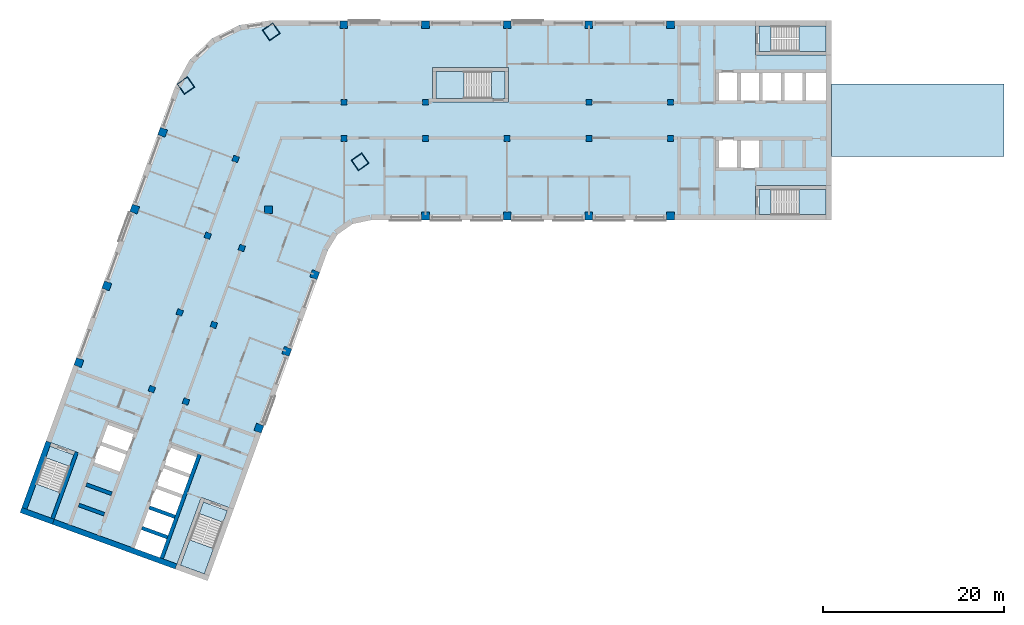
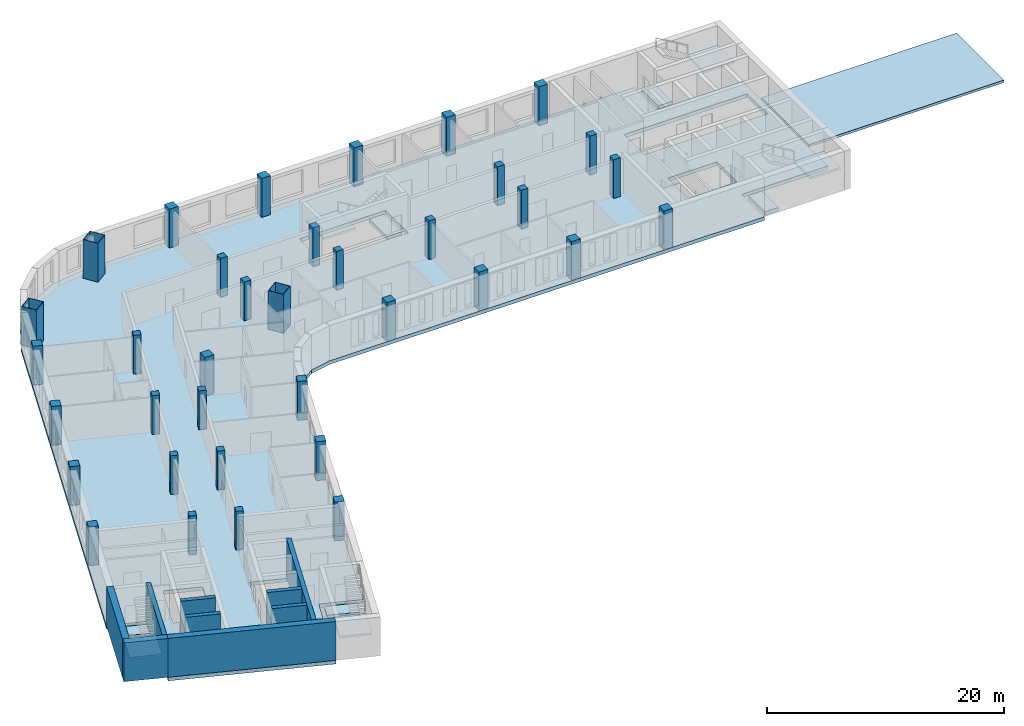
# One storey, part 1 of 8: 36 columns, 12 slabs, 9 walls, 5 elements without a shape of their own.
"""IFC4 building model written with IfcOpenShell, lengths in metres."""

from ifc_helpers import new_model, si_unit, direction, frame, frame_2d, origin, origin_2d, place, context, subcontext, project, spatial, polyline, rectangle, hollow_rectangle, outline, extrude, material, layer, layer_set, material_profile, profile_set, type_object, element, aggregate, save


model = new_model("IFC4")

# Units and contexts
model_context = context("Model", 3, precision=1e-05, world=origin(), true_north=direction((0.0, 1.0)))
body_context = subcontext(model_context, "Body", "Model", "MODEL_VIEW")
ifc_project = project(units=[si_unit("LENGTHUNIT", "METRE"), si_unit("AREAUNIT", "SQUARE_METRE"), si_unit("VOLUMEUNIT", "CUBIC_METRE"), si_unit("PLANEANGLEUNIT", "RADIAN"), si_unit("MASSUNIT", "GRAM", prefix="KILO")], contexts=[model_context])

# Site, building, storey
site_placement = place(None, origin())
site = spatial("IfcSite", under=ifc_project, at=site_placement, CompositionType="ELEMENT")
building_placement = place(site_placement, origin())
building = spatial("IfcBuilding", under=site, at=building_placement, Name="Skarvind Civic Tower", CompositionType="ELEMENT")
storey_placement = place(building_placement, frame((0.0, 0.0, 121.0)))
storey = spatial("IfcBuildingStorey", under=building, at=storey_placement, Name="L28", CompositionType="ELEMENT", Elevation=121.0)

# Columns
ifc_material_1 = material(Name="Concrete C60", Category="concrete")
ifc_material_profile_1 = material_profile(ifc_material_1, rectangle(XDim=0.64990234375, YDim=0.64990234375, at=origin_2d()), Name="RC-650x650")
ifc_profile_set_1 = profile_set([ifc_material_profile_1], Name="Concrete C60")
column_type_1 = type_object("IfcColumnType", Name="Column RC-650x650 C60", PredefinedType="COLUMN", material=ifc_profile_set_1)
for number, where, z_axis, x_axis, name in (
    (1, (54.25, 130.0, 0.0), (0.0, 0.0, 1.0), (1.0, 0.0, 0.0), "Column wing 1 north inner 02 L28"),
    (2, (63.25, 130.0, 0.0), (0.0, 0.0, 1.0), (1.0, 0.0, 0.0), "Column wing 1 north inner 03 L28"),
    (3, (81.25, 130.0, 0.0), (0.0, 0.0, 1.0), (1.0, 0.0, 0.0), "Column wing 1 north inner 05 L28"),
    (4, (90.25, 130.0, 0.0), (0.0, 0.0, 1.0), (1.0, 0.0, 0.0), "Column wing 1 north inner 06 L28"),
    (5, (54.25, 126.0, 0.0), (0.0, 0.0, 1.0), (1.0, 0.0, 0.0), "Column wing 1 south inner 02 L28"),
    (6, (63.25, 126.0, 0.0), (0.0, 0.0, 1.0), (1.0, 0.0, 0.0), "Column wing 1 south inner 03 L28"),
    (7, (72.25, 126.0, 0.0), (0.0, 0.0, 1.0), (1.0, 0.0, 0.0), "Column wing 1 south inner 04 L28"),
    (8, (81.25, 126.0, 0.0), (0.0, 0.0, 1.0), (1.0, 0.0, 0.0), "Column wing 1 south inner 05 L28"),
    (9, (90.25, 126.0, 0.0), (0.0, 0.0, 1.0), (1.0, 0.0, 0.0), "Column wing 1 south inner 06 L28"),
    (10, (43.005615234375, 113.92529296875, 0.0), (0.0, 0.0, 1.0), (-0.342020143326, -0.939692620786, 0.0), "Column wing 2 left inner 02 L28"),
    (11, (39.927490234375, 105.468017578125, 0.0), (0.0, 0.0, 1.0), (-0.342020143326, -0.939692620786, 0.0), "Column wing 2 left inner 03 L28"),
    (12, (36.84912109375, 97.010986328125, 0.0), (0.0, 0.0, 1.0), (-0.342020143326, -0.939692620786, 0.0), "Column wing 2 left inner 04 L28"),
    (13, (42.324951171875, 123.750732421875, 0.0), (0.0, 0.0, 1.0), (-0.342020143326, -0.939692620786, 0.0), "Column wing 2 right inner 01 L28"),
    (14, (39.246826171875, 115.29345703125, 0.0), (0.0, 0.0, 1.0), (-0.342020143326, -0.939692620786, 0.0), "Column wing 2 right inner 02 L28"),
    (15, (36.168701171875, 106.836181640625, 0.0), (0.0, 0.0, 1.0), (-0.342020143326, -0.939692620786, 0.0), "Column wing 2 right inner 03 L28"),
    (16, (33.090576171875, 98.37890625, 0.0), (0.0, 0.0, 1.0), (-0.342020143326, -0.939692620786, 0.0), "Column wing 2 right inner 04 L28"),
):
    element("IfcColumn", number, at=place(storey_placement, frame(where, z_axis=z_axis, x_axis=x_axis)), inside=storey, type_object=column_type_1, Name=name, PredefinedType="COLUMN", context=body_context, shape_type="SweptSolid", body=[
        extrude(rectangle(XDim=0.64990234375, YDim=0.64990234375, at=origin_2d()), origin(), (0.0, 0.0, 1.0), 4.0),
    ])
ifc_material_2 = material(Name="Concrete C80", Category="concrete")
ifc_material_profile_2 = material_profile(ifc_material_2, rectangle(XDim=0.85009765625, YDim=0.85009765625, at=origin_2d()), Name="RC-850x850")
ifc_profile_set_2 = profile_set([ifc_material_profile_2], Name="Concrete C80")
column_type_2 = type_object("IfcColumnType", Name="Column RC-850x850 C80", PredefinedType="COLUMN", material=ifc_profile_set_2)
for number, where, z_axis, x_axis, name in (
    (17, (54.25, 138.550048828125, 0.0), (0.0, 0.0, 1.0), (1.0, 0.0, 0.0), "Column wing 1 north perimeter 02 L28"),
    (18, (63.25, 138.550048828125, 0.0), (0.0, 0.0, 1.0), (1.0, 0.0, 0.0), "Column wing 1 north perimeter 03 L28"),
    (19, (72.25, 138.550048828125, 0.0), (0.0, 0.0, 1.0), (1.0, 0.0, 0.0), "Column wing 1 north perimeter 04 L28"),
    (20, (81.25, 138.550048828125, 0.0), (0.0, 0.0, 1.0), (1.0, 0.0, 0.0), "Column wing 1 north perimeter 05 L28"),
    (21, (90.25, 138.550048828125, 0.0), (0.0, 0.0, 1.0), (1.0, 0.0, 0.0), "Column wing 1 north perimeter 06 L28"),
    (22, (45.95166015625, 118.151611328125, 0.0), (0.0, 0.0, 1.0), (1.0, 0.0, 0.0), "Column wing 1 south perimeter 01 L28"),
    (23, (63.25, 117.449951171875, 0.0), (0.0, 0.0, 1.0), (1.0, 0.0, 0.0), "Column wing 1 south perimeter 03 L28"),
    (24, (72.25, 117.449951171875, 0.0), (0.0, 0.0, 1.0), (1.0, 0.0, 0.0), "Column wing 1 south perimeter 04 L28"),
    (25, (81.25, 117.449951171875, 0.0), (0.0, 0.0, 1.0), (1.0, 0.0, 0.0), "Column wing 1 south perimeter 05 L28"),
    (26, (90.25, 117.449951171875, 0.0), (0.0, 0.0, 1.0), (1.0, 0.0, 0.0), "Column wing 1 south perimeter 06 L28"),
    (27, (51.0400390625, 111.0009765625, 0.0), (0.0, 0.0, 1.0), (-0.342020143326, -0.939692620786, 0.0), "Column wing 2 left perimeter 02 L28"),
    (28, (47.961669921875, 102.5439453125, 0.0), (0.0, 0.0, 1.0), (-0.342020143326, -0.939692620786, 0.0), "Column wing 2 left perimeter 03 L28"),
    (29, (44.883544921875, 94.086669921875, 0.0), (0.0, 0.0, 1.0), (-0.342020143326, -0.939692620786, 0.0), "Column wing 2 left perimeter 04 L28"),
    (30, (34.29052734375, 126.6748046875, 0.0), (0.0, 0.0, 1.0), (-0.342020143326, -0.939692620786, 0.0), "Column wing 2 right perimeter 01 L28"),
    (31, (31.21240234375, 118.2177734375, 0.0), (0.0, 0.0, 1.0), (-0.342020143326, -0.939692620786, 0.0), "Column wing 2 right perimeter 02 L28"),
    (32, (28.13427734375, 109.760498046875, 0.0), (0.0, 0.0, 1.0), (-0.342020143326, -0.939692620786, 0.0), "Column wing 2 right perimeter 03 L28"),
    (33, (25.05615234375, 101.30322265625, 0.0), (0.0, 0.0, 1.0), (-0.342020143326, -0.939692620786, 0.0), "Column wing 2 right perimeter 04 L28"),
):
    element("IfcColumn", number, at=place(storey_placement, frame(where, z_axis=z_axis, x_axis=x_axis)), inside=storey, type_object=column_type_2, Name=name, PredefinedType="COLUMN", context=body_context, shape_type="SweptSolid", body=[
        extrude(rectangle(XDim=0.85009765625, YDim=0.85009765625, at=origin_2d()), origin(), (0.0, 0.0, 1.0), 4.0),
    ])
ifc_material_3 = material(Name="Composite concrete-filled steel tube, Steel SM355 with Concrete C80", Category="concrete")
ifc_material_profile_3 = material_profile(ifc_material_3, hollow_rectangle(XDim=1.39990234375, YDim=1.39990234375, WallThickness=0.0400390625, at=origin_2d()), Name="BOX-1400x1400x40")
ifc_profile_set_3 = profile_set([ifc_material_profile_3], Name="Composite concrete-filled steel tube, Steel SM355 with Concrete C80")
column_type_3 = type_object("IfcColumnType", Name="Mega column BOX-1400x1400x40 filled C80", PredefinedType="COLUMN", material=ifc_profile_set_3)
for number, where, z_axis, x_axis, name in (
    (34, (36.845947265625, 131.837646484375, 0.0), (0.0, 0.0, 1.0), (0.573576436351, -0.819152044289, 0.0), "Mega column 1 L28"),
    (35, (46.2470703125, 137.762451171875, 0.0), (0.0, 0.0, 1.0), (0.573576436351, -0.819152044289, 0.0), "Mega column 2 L28"),
    (36, (56.0361328125, 123.43017578125, 0.0), (0.0, 0.0, 1.0), (0.573576436351, -0.819152044289, 0.0), "Mega column 4 L28"),
):
    element("IfcColumn", number, at=place(storey_placement, frame(where, z_axis=z_axis, x_axis=x_axis)), inside=storey, type_object=column_type_3, Name=name, PredefinedType="COLUMN", context=body_context, shape_type="SweptSolid", body=[
        extrude(hollow_rectangle(XDim=1.39990234375, YDim=1.39990234375, WallThickness=0.0400390625, at=origin_2d()), origin(), (0.0, 0.0, 1.0), 4.0),
    ])

# Slabs
ifc_material_4 = material(Name="Concrete C50", Category="concrete")
ifc_layer_1 = layer(ifc_material_4, 0.375)
ifc_layer_set_1 = layer_set([ifc_layer_1], Name="Floor slab 375 C50")
slab_type_1 = type_object("IfcSlabType", Name="Floor slab 375 C50", PredefinedType="FLOOR", material=ifc_layer_set_1)
slab_1_placement = place(storey_placement, frame((0.0, 0.0, -0.375)))
element("IfcSlab", 37, at=slab_1_placement, inside=storey, type_object=slab_type_1, Name="Floor slab L28 1", PredefinedType="FLOOR", context=body_context, shape_type="SweptSolid", body=[
    extrude(outline(polyline([(99.60009765625, 117.0), (99.60009765625, 120.800048828125), (108.0, 120.800048828125), (108.0, 135.199951171875), (99.60009765625, 135.199951171875), (99.60009765625, 139.0), (46.095458984375, 139.0), (42.739501953125, 138.5009765625), (39.6943359375, 137.005615234375), (37.24755859375, 134.6552734375), (35.630615234375, 131.672607421875), (19.41748046875, 87.126708984375), (21.435302734375, 92.6708984375), (25.006103515625, 91.371337890625), (22.13330078125, 83.477783203125), (36.886474609375, 78.108154296875), (35.664794921875, 78.552734375), (38.53759765625, 86.4462890625), (42.108642578125, 85.146484375), (40.0908203125, 79.602294921875), (40.0908203125, 79.602294921875), (52.493896484375, 113.68017578125), (53.560791015625, 115.421630859375), (55.23388671875, 116.593017578125), (57.235107421875, 117.0), (99.60009765625, 117.0)]), holes=[polyline([(32.625244140625, 85.40576171875), (33.446044921875, 87.660888671875), (34.26708984375, 89.916259765625), (35.087890625, 92.17138671875), (38.28271484375, 91.008544921875), (37.4619140625, 88.75341796875), (36.64111328125, 86.498046875), (35.8203125, 84.242919921875), (35.8203125, 84.242919921875), (34.99951171875, 81.987548828125), (34.178466796875, 79.732421875), (30.983642578125, 80.89501953125), (31.804443359375, 83.150390625), (32.625244140625, 85.40576171875), (32.625244140625, 85.40576171875)]), polyline([(31.3291015625, 93.53955078125), (30.50830078125, 91.2841796875), (29.6875, 89.029052734375), (26.492431640625, 90.19189453125), (27.313232421875, 92.447021484375), (28.134033203125, 94.702392578125), (31.3291015625, 93.53955078125)]), polyline([(64.0, 130.0), (64.0, 133.800048828125), (72.39990234375, 133.800048828125), (72.39990234375, 130.0), (64.0, 130.0)]), polyline([(100.199951171875, 126.0), (100.199951171875, 122.60009765625), (97.800048828125, 122.60009765625), (95.39990234375, 122.60009765625), (95.39990234375, 126.0), (97.800048828125, 126.0), (100.199951171875, 126.0)]), polyline([(100.199951171875, 133.39990234375), (102.60009765625, 133.39990234375), (105.0, 133.39990234375), (107.39990234375, 133.39990234375), (107.39990234375, 130.0), (105.0, 130.0), (102.60009765625, 130.0), (100.199951171875, 130.0), (97.800048828125, 130.0), (95.39990234375, 130.0), (95.39990234375, 133.39990234375), (97.800048828125, 133.39990234375), (100.199951171875, 133.39990234375)])]), origin(), (0.0, 0.0, 1.0), 0.375),
])
ifc_material_5 = material(Name="Steel deck with insulated roof build-up", Category="steel")
ifc_layer_2 = layer(ifc_material_5, 0.25)
ifc_layer_set_2 = layer_set([ifc_layer_2], Name="SX4 BRIDGE ROOF 250")
slab_type_2 = type_object("IfcSlabType", Name="SX4 BRIDGE ROOF 250", PredefinedType="ROOF", material=ifc_layer_set_2)
slab_2_placement = place(storey_placement, origin())
element("IfcSlab", 38, at=slab_2_placement, inside=storey, type_object=slab_type_2, Name="BRIDGE ROOF", PredefinedType="ROOF", context=body_context, shape_type="SweptSolid", body=[
    extrude(outline(polyline([(127.0, 124.0), (127.0, 132.0), (108.0, 132.0), (108.0, 124.0), (127.0, 124.0)])), origin(), (0.0, 0.0, 1.0), 0.25),
])
ifc_material_6 = material(Name="Concrete C40/50", Category="concrete")
ifc_layer_3 = layer(ifc_material_6, 0.375)
ifc_layer_set_3 = layer_set([ifc_layer_3], Name="Stair floor landing slab 375")
slab_type_3 = type_object("IfcSlabType", Name="Stair floor landing slab 375", PredefinedType="LANDING", material=ifc_layer_set_3)
slab_3_placement = place(storey_placement, frame((0.0, 0.0, -0.375)))
element("IfcSlab", 39, at=slab_3_placement, inside=storey, type_object=slab_type_3, Name="Stair floor landing", PredefinedType="LANDING", context=body_context, shape_type="SweptSolid", body=[
    extrude(outline(polyline([(101.3505859375, 138.400634765625), (101.3505859375, 135.599365234375), (99.99951171875, 135.599365234375), (99.99951171875, 138.400634765625), (101.3505859375, 138.400634765625)])), origin(), (0.0, 0.0, 1.0), 0.375),
])
slab_4_placement = place(storey_placement, frame((0.0, 0.0, -0.375)))
element("IfcSlab", 40, at=slab_4_placement, inside=storey, type_object=slab_type_3, Name="Stair floor landing", PredefinedType="LANDING", context=body_context, shape_type="SweptSolid", body=[
    extrude(outline(polyline([(101.3505859375, 120.400634765625), (101.3505859375, 117.599365234375), (99.99951171875, 117.599365234375), (99.99951171875, 120.400634765625), (101.3505859375, 120.400634765625)])), origin(), (0.0, 0.0, 1.0), 0.375),
])
slab_5_placement = place(storey_placement, frame((0.0, 0.0, -0.375)))
element("IfcSlab", 41, at=slab_5_placement, inside=storey, type_object=slab_type_3, Name="Stair floor landing", PredefinedType="LANDING", context=body_context, shape_type="SweptSolid", body=[
    extrude(outline(polyline([(40.946533203125, 83.70654296875), (38.314208984375, 84.66455078125), (38.7763671875, 85.934326171875), (41.40869140625, 84.976318359375), (40.946533203125, 83.70654296875)])), origin(), (0.0, 0.0, 1.0), 0.375),
])
slab_6_placement = place(storey_placement, frame((0.0, 0.0, -0.375)))
element("IfcSlab", 42, at=slab_6_placement, inside=storey, type_object=slab_type_3, Name="Stair floor landing", PredefinedType="LANDING", context=body_context, shape_type="SweptSolid", body=[
    extrude(outline(polyline([(24.0322265625, 89.863037109375), (21.39990234375, 90.821044921875), (21.862060546875, 92.090576171875), (24.494384765625, 91.132568359375), (24.0322265625, 89.863037109375)])), origin(), (0.0, 0.0, 1.0), 0.375),
])
slab_7_placement = place(storey_placement, frame((0.0, 0.0, -0.375)))
element("IfcSlab", 43, at=slab_7_placement, inside=storey, type_object=slab_type_3, Name="Stair floor landing", PredefinedType="LANDING", context=body_context, shape_type="SweptSolid", body=[
    extrude(outline(polyline([(70.54931640625, 130.3994140625), (70.54931640625, 133.400634765625), (72.00048828125, 133.400634765625), (72.00048828125, 130.3994140625), (70.54931640625, 130.3994140625)])), origin(), (0.0, 0.0, 1.0), 0.375),
])

# Stair, slab
stair_type_1 = type_object("IfcStairType", Name="Exit stair, half-turn, concrete", PredefinedType="HALF_TURN_STAIR", material=ifc_material_6)
stair_1_placement = place(storey_placement, origin())
stair_1 = element("IfcStair", 44, at=stair_1_placement, inside=storey, type_object=stair_type_1, Name="Exit stair C1S", PredefinedType="HALF_TURN_STAIR")
ifc_layer_4 = layer(ifc_material_6, 0.199951171875)
ifc_layer_set_4 = layer_set([ifc_layer_4], Name="Stair half landing slab")
slab_type_4 = type_object("IfcSlabType", Name="Stair half landing slab", PredefinedType="LANDING", material=ifc_layer_set_4)
slab_8_placement = place(storey_placement, frame((0.0, 0.0, 1.800048828125)))
slab_8 = element("IfcSlab", 45, at=slab_8_placement, type_object=slab_type_4, Name="ST-C1S landing 1", PredefinedType="LANDING", context=body_context, shape_type="SweptSolid", body=[
    extrude(outline(polyline([(104.429443359375, 135.599365234375), (104.429443359375, 138.400634765625), (107.400634765625, 138.400634765625), (107.400634765625, 135.599365234375), (104.429443359375, 135.599365234375)])), origin(), (0.0, 0.0, 1.0), 0.199951171875),
])
aggregate(stair_1, [slab_8])

stair_2_placement = place(storey_placement, origin())
stair_2 = element("IfcStair", 46, at=stair_2_placement, inside=storey, type_object=stair_type_1, Name="Exit stair C1N", PredefinedType="HALF_TURN_STAIR")
slab_9_placement = place(storey_placement, frame((0.0, 0.0, 1.800048828125)))
slab_9 = element("IfcSlab", 47, at=slab_9_placement, type_object=slab_type_4, Name="ST-C1N landing 1", PredefinedType="LANDING", context=body_context, shape_type="SweptSolid", body=[
    extrude(outline(polyline([(104.429443359375, 117.599365234375), (104.429443359375, 120.400634765625), (107.400634765625, 120.400634765625), (107.400634765625, 117.599365234375), (104.429443359375, 117.599365234375)])), origin(), (0.0, 0.0, 1.0), 0.199951171875),
])
aggregate(stair_2, [slab_9])

stair_3_placement = place(storey_placement, origin())
stair_3 = element("IfcStair", 48, at=stair_3_placement, inside=storey, type_object=stair_type_1, Name="Exit stair C2S", PredefinedType="HALF_TURN_STAIR")
slab_10_placement = place(storey_placement, frame((0.0, 0.0, 1.800048828125)))
slab_10 = element("IfcSlab", 49, at=slab_10_placement, type_object=slab_type_4, Name="ST-C2S landing 1", PredefinedType="LANDING", context=body_context, shape_type="SweptSolid", body=[
    extrude(outline(polyline([(37.26123046875, 81.771484375), (39.8935546875, 80.8134765625), (38.87744140625, 78.021484375), (36.2451171875, 78.9794921875), (37.26123046875, 81.771484375)])), origin(), (0.0, 0.0, 1.0), 0.199951171875),
])
aggregate(stair_3, [slab_10])

stair_4_placement = place(storey_placement, origin())
stair_4 = element("IfcStair", 50, at=stair_4_placement, inside=storey, type_object=stair_type_1, Name="Exit stair C2N", PredefinedType="HALF_TURN_STAIR")
slab_11_placement = place(storey_placement, frame((0.0, 0.0, 1.800048828125)))
slab_11 = element("IfcSlab", 51, at=slab_11_placement, type_object=slab_type_4, Name="ST-C2N landing 1", PredefinedType="LANDING", context=body_context, shape_type="SweptSolid", body=[
    extrude(outline(polyline([(20.346923828125, 87.927734375), (22.97900390625, 86.9697265625), (21.962890625, 84.177734375), (19.33056640625, 85.1357421875), (20.346923828125, 87.927734375)])), origin(), (0.0, 0.0, 1.0), 0.199951171875),
])
aggregate(stair_4, [slab_11])

stair_type_2 = type_object("IfcStairType", Name="Exit stair 1450, half-turn, concrete", PredefinedType="HALF_TURN_STAIR", material=ifc_material_6)
stair_5_placement = place(storey_placement, origin())
stair_5 = element("IfcStair", 52, at=stair_5_placement, inside=storey, type_object=stair_type_2, Name="Exit stair CM", PredefinedType="HALF_TURN_STAIR")
slab_12_placement = place(storey_placement, frame((0.0, 0.0, 1.800048828125)))
slab_12 = element("IfcSlab", 53, at=slab_12_placement, type_object=slab_type_4, Name="ST-CM landing 1", PredefinedType="LANDING", context=body_context, shape_type="SweptSolid", body=[
    extrude(outline(polyline([(67.470703125, 133.400634765625), (67.470703125, 130.3994140625), (64.3994140625, 130.3994140625), (64.3994140625, 133.400634765625), (67.470703125, 133.400634765625)])), origin(), (0.0, 0.0, 1.0), 0.199951171875),
])
aggregate(stair_5, [slab_12])

# Walls
ifc_layer_5 = layer(ifc_material_2, 0.39990234375)
ifc_layer_set_5 = layer_set([ifc_layer_5], Name="Core wall 400 C80")
wall_type_1 = type_object("IfcWallType", Name="Core wall 400 C80", PredefinedType="SHEAR", material=ifc_layer_set_5)
wall_1_placement = place(storey_placement, frame((22.150390625, 84.110107421875, 0.0), z_axis=(0.0, 0.0, 1.0), x_axis=(0.342016982193, 0.939693771338, 0.0)))
element("IfcWall", 54, at=wall_1_placement, inside=storey, type_object=wall_type_1, Name="Core wall C2 north stair inner L28", PredefinedType="SHEAR", context=body_context, shape_type="SweptSolid", body=[
    extrude(rectangle(XDim=7.800048828125, YDim=0.39990234375, at=frame_2d((3.89990234375, 0.0))), origin(), (0.0, 0.0, 1.0), 4.0),
])
wall_2_placement = place(storey_placement, frame((34.178466796875, 79.732177734375, 0.0), z_axis=(0.0, 0.0, 1.0), x_axis=(0.342014590177, 0.939694641948, 0.0)))
element("IfcWall", 55, at=wall_2_placement, inside=storey, type_object=wall_type_1, Name="Core wall C2 south lift row back L28", PredefinedType="SHEAR", context=body_context, shape_type="SweptSolid", body=[
    extrude(rectangle(XDim=12.2001953125, YDim=0.39990234375, at=frame_2d((6.10009765625, 0.0))), origin(), (0.0, 0.0, 1.0), 4.0),
])
for number, where, z_axis, x_axis, name in (
    (56, (34.8115234375, 82.055908203125, 0.0), (0.0, 0.0, 1.0), (-0.939686455819, 0.342037080957, 0.0), "Core wall C2 south lift row division 1 L28"),
    (57, (35.63232421875, 84.311279296875, 0.0), (0.0, 0.0, 1.0), (-0.939712609717, 0.341965219194, 0.0), "Core wall C2 south lift row division 2 L28"),
    (58, (27.857666015625, 84.5869140625, 0.0), (0.0, 0.0, 1.0), (-0.939686455819, 0.342037080957, 0.0), "Core wall C2 north lift row division 1 L28"),
):
    element("IfcWall", number, at=place(storey_placement, frame(where, z_axis=z_axis, x_axis=x_axis)), inside=storey, type_object=wall_type_1, Name=name, PredefinedType="SHEAR", context=body_context, shape_type="SweptSolid", body=[
        extrude(rectangle(XDim=3.0, YDim=0.39990234375, at=frame_2d((1.5, 0.0))), origin(), (0.0, 0.0, 1.0), 4.0),
    ])
wall_3_placement = place(storey_placement, frame((28.678466796875, 86.842041015625, 0.0), z_axis=(0.0, 0.0, 1.0), x_axis=(-0.939676934218, 0.342063238742, 0.0)))
element("IfcWall", 59, at=wall_3_placement, inside=storey, type_object=wall_type_1, Name="Core wall C2 north lift row division 2 L28", PredefinedType="SHEAR", context=body_context, shape_type="SweptSolid", body=[
    extrude(rectangle(XDim=2.999755859375, YDim=0.39990234375, at=frame_2d((1.5, 0.0))), origin(), (0.0, 0.0, 1.0), 4.0),
])
ifc_layer_6 = layer(ifc_material_2, 0.60009765625)
ifc_layer_set_6 = layer_set([ifc_layer_6], Name="Core wall 600 C80")
wall_type_2 = type_object("IfcWallType", Name="Core wall 600 C80", PredefinedType="SHEAR", material=ifc_layer_set_6)
wall_4_placement = place(storey_placement, frame((35.767333984375, 78.834716796875, 0.0), z_axis=(0.0, 0.0, 1.0), x_axis=(-0.939692894512, 0.342019391267, 0.0)))
element("IfcWall", 60, at=wall_4_placement, inside=storey, type_object=wall_type_2, Name="Core wall C2 tip between the stairs L28", PredefinedType="SHEAR", context=body_context, shape_type="SweptSolid", body=[
    extrude(rectangle(XDim=14.39990234375, YDim=0.60009765625, at=frame_2d((7.199951171875, 0.0))), origin(), (0.0, 0.0, 1.0), 4.0),
])
wall_5_placement = place(storey_placement, frame((22.23583984375, 83.759765625, 0.0), z_axis=(0.0, 0.0, 1.0), x_axis=(-0.939680822529, 0.342052557032, 0.0)))
element("IfcWall", 61, at=wall_5_placement, inside=storey, type_object=wall_type_2, Name="Core wall C2 tip at the north stair L28", PredefinedType="SHEAR", context=body_context, shape_type="SweptSolid", body=[
    extrude(rectangle(XDim=3.800048828125, YDim=0.60009765625, at=frame_2d((1.89990234375, 0.0))), origin(), (0.0, 0.0, 1.0), 4.0),
])
wall_6_placement = place(storey_placement, frame((19.049560546875, 85.23876953125, 0.0), z_axis=(0.0, 0.0, 1.0), x_axis=(0.342016982193, 0.939693771338, 0.0)))
element("IfcWall", 62, at=wall_6_placement, inside=storey, type_object=wall_type_2, Name="Core wall C2 north side at the stair L28", PredefinedType="SHEAR", context=body_context, shape_type="SweptSolid", body=[
    extrude(rectangle(XDim=7.800048828125, YDim=0.60009765625, at=frame_2d((3.89990234375, 0.0))), origin(), (0.0, 0.0, 1.0), 4.0),
])

save(model, "model.ifc")
